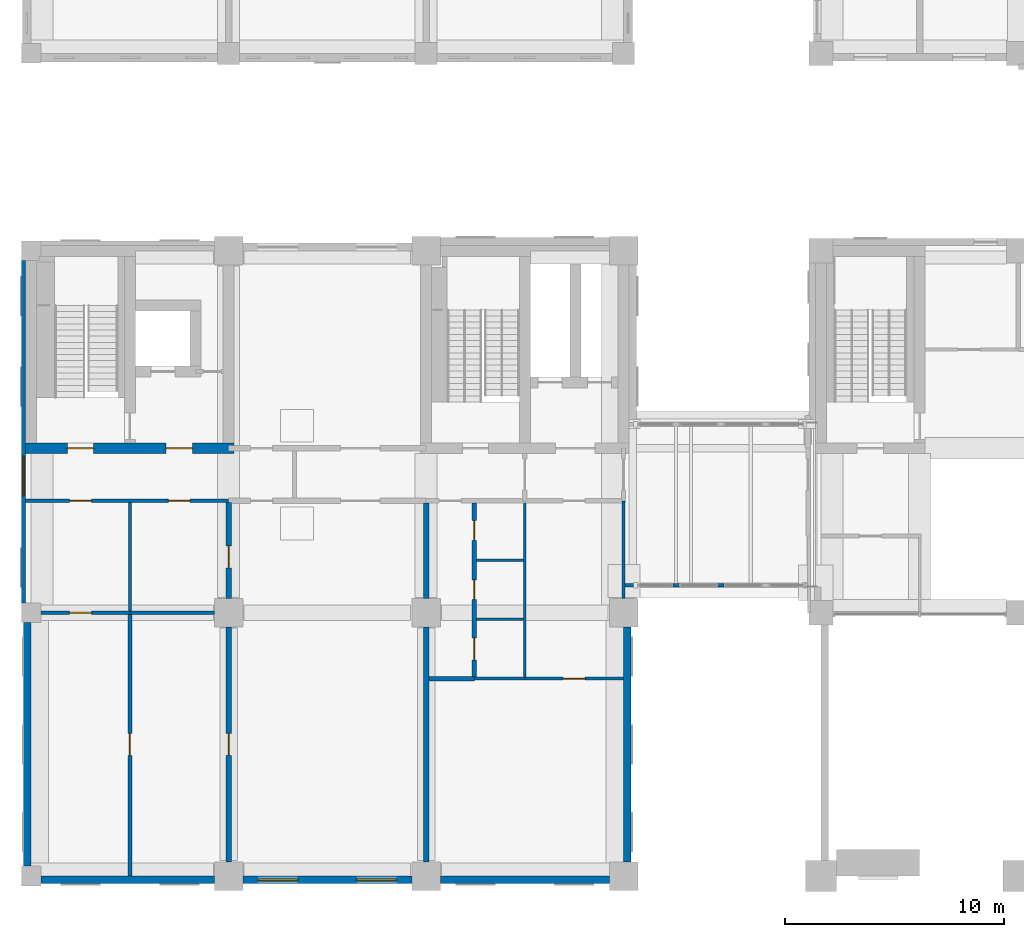
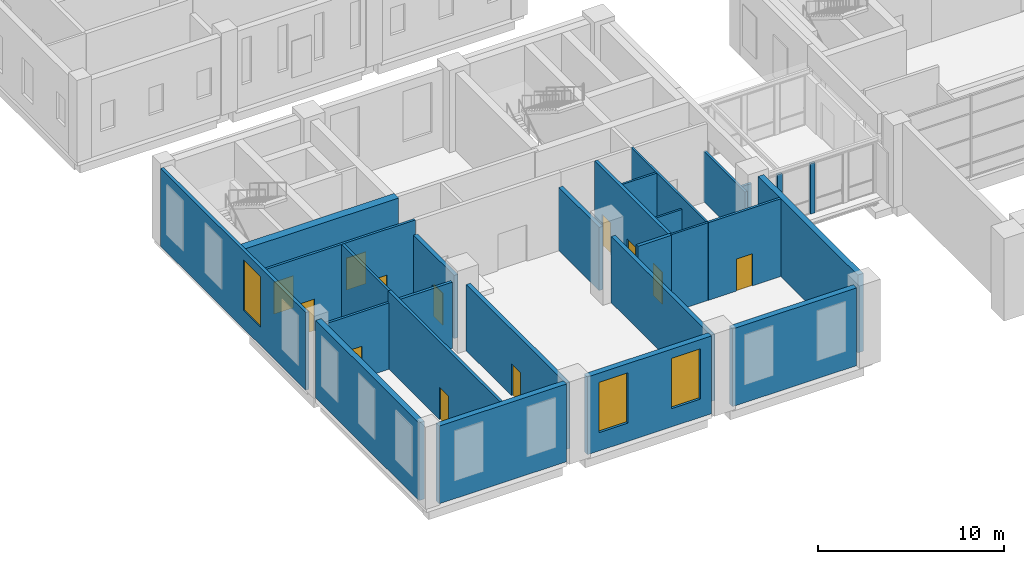
# One storey, part 26 of 52: 27 walls, 12 doors, 3 windows, 15 openings.
"""IFC4 building model written with IfcOpenShell, lengths in metres."""

from ifc_helpers import new_model, si_unit, direction, frame, frame_2d, origin, place, context, subcontext, project, spatial, rectangle, extrude, material, layer, layer_set, type_object, element, fill, save


model = new_model("IFC4")

# Units and contexts
model_context = context("Model", 3, precision=1e-05, world=origin(), true_north=direction((0.0, 1.0)))
body_context = subcontext(model_context, "Body", "Model", "MODEL_VIEW")
ifc_project = project(units=[si_unit("LENGTHUNIT", "METRE"), si_unit("AREAUNIT", "SQUARE_METRE"), si_unit("VOLUMEUNIT", "CUBIC_METRE"), si_unit("PLANEANGLEUNIT", "RADIAN"), si_unit("MASSUNIT", "GRAM", prefix="KILO")], contexts=[model_context])

# Site, building, storey
site_placement = place(None, origin())
site = spatial("IfcSite", under=ifc_project, at=site_placement, CompositionType="ELEMENT")
building_placement = place(site_placement, origin())
building = spatial("IfcBuilding", under=site, at=building_placement, Name="Aurelan Courthouse", CompositionType="ELEMENT")
storey_placement = place(building_placement, frame((0.0, 0.0, 6.60009765625)))
storey = spatial("IfcBuildingStorey", under=building, at=storey_placement, Name="L01", CompositionType="ELEMENT", Elevation=6.60009765625)

# Wall
ifc_material_1 = material(Name="Gypsum board on metal studs")
ifc_layer_1 = layer(ifc_material_1, 0.175048828125)
ifc_layer_set_1 = layer_set([ifc_layer_1], Name="Gypsum board on metal studs")
wall_type_1 = type_object("IfcWallType", Name="Chambers acoustic partition 175 NOT RATED", PredefinedType="PARTITIONING", material=ifc_layer_set_1)
wall_1_placement = place(storey_placement, frame((4.5, 12.0, 0.0), z_axis=(0.0, 0.0, 1.0), x_axis=(1.0, 0.0, 0.0)))
element("IfcWall", 1, at=wall_1_placement, inside=storey, type_object=wall_type_1, Name="Chambers acoustic partition L01-008", PredefinedType="PARTITIONING", context=body_context, shape_type="SweptSolid", body=[
    extrude(rectangle(XDim=3.85009765625, YDim=0.175048828125, at=frame_2d((1.925048828125, 0.0))), origin(), (0.0, 0.0, 1.0), 4.349853515625),
])

# Wall, opening, door
wall_2_placement = place(storey_placement, frame((4.5, 0.0, 0.0), z_axis=(0.0, 0.0, 1.0), x_axis=(0.0, 1.0, 0.0)))
wall_2 = element("IfcWall", 2, at=wall_2_placement, inside=storey, type_object=wall_type_1, Name="Chambers acoustic partition L01-068", PredefinedType="PARTITIONING", context=body_context, shape_type="SweptSolid", body=[
    extrude(rectangle(XDim=12.0, YDim=0.175048828125, at=frame_2d((6.0, 0.0))), origin(), (0.0, 0.0, 1.0), 5.099853515625),
])
opening_1_placement = place(wall_2_placement, frame((5.5, 0.0, 0.0)))
opening_1 = element("IfcOpeningElement", 3, at=opening_1_placement, cuts=wall_2, Name="Opening D-L01-082", PredefinedType="OPENING", context=body_context, shape_type="SweptSolid", body=[
    extrude(rectangle(XDim=1.0, YDim=2.10009765625, at=frame_2d((0.5, 1.050048828125))), frame((0.0, 0.097412109375, 0.0), z_axis=(0.0, -1.0, 0.0), x_axis=(1.0, 0.0, 0.0)), (0.0, 0.0, 1.0), 0.195068359375),
])
ifc_material_2 = material(Name="Timber", Category="wood")
door_type_1 = type_object("IfcDoorType", Name="Single door 1000 x 2100 NOT RATED", OperationType="SINGLE_SWING_LEFT", PredefinedType="DOOR", material=ifc_material_2)
door_1_placement = place(opening_1_placement, origin())
door_1 = element("IfcDoor", 4, at=door_1_placement, inside=storey, type_object=door_type_1, Name="Single door D-L01-082", OperationType="SINGLE_SWING_RIGHT", OverallHeight=2.10009765625, OverallWidth=1.0, PredefinedType="DOOR", context=body_context, shape_type="SweptSolid", body=[
    extrude(rectangle(XDim=1.0, YDim=2.10009765625, at=frame_2d((0.5, 1.050048828125))), frame((0.0, 0.02490234375, 0.0), z_axis=(0.0, -1.0, 0.0), x_axis=(1.0, 0.0, 0.0)), (0.0, 0.0, 1.0), 0.050048828125),
])
fill(opening_1, door_1)

# Wall, openings, doors
ifc_layer_2 = layer(ifc_material_1, 0.14990234375)
ifc_layer_set_2 = layer_set([ifc_layer_2], Name="Gypsum board on metal studs")
wall_type_2 = type_object("IfcWallType", Name="Corridor partition 150 EI 60", PredefinedType="PARTITIONING", material=ifc_layer_set_2)
wall_3_placement = place(storey_placement, frame((-0.25, 17.10009765625, 0.0), z_axis=(0.0, 0.0, 1.0), x_axis=(1.0, 0.0, 0.0)))
wall_3 = element("IfcWall", 5, at=wall_3_placement, inside=storey, type_object=wall_type_2, Name="Corridor partition L01-017", PredefinedType="PARTITIONING", context=body_context, shape_type="SweptSolid", body=[
    extrude(rectangle(XDim=9.25, YDim=0.14990234375, at=frame_2d((4.625, 0.0))), origin(), (0.0, 0.0, 1.0), 5.099853515625),
])
opening_2_placement = place(wall_3_placement, frame((3.0, 0.0, 0.0), z_axis=(0.0, 0.0, 1.0), x_axis=(-1.0, 0.0, 0.0)))
opening_2 = element("IfcOpeningElement", 6, at=opening_2_placement, cuts=wall_3, Name="Opening D-L01-078", PredefinedType="OPENING", context=body_context, shape_type="SweptSolid", body=[
    extrude(rectangle(XDim=1.0, YDim=2.10009765625, at=frame_2d((0.5, 1.050048828125))), frame((0.0, 0.0849609375, 0.0), z_axis=(0.0, -1.0, 0.0), x_axis=(1.0, 0.0, 0.0)), (0.0, 0.0, 1.0), 0.169921875),
])
opening_3_placement = place(wall_3_placement, frame((7.5, 0.0, 0.0), z_axis=(0.0, 0.0, 1.0), x_axis=(-1.0, 0.0, 0.0)))
opening_3 = element("IfcOpeningElement", 7, at=opening_3_placement, cuts=wall_3, Name="Opening D-L01-079", PredefinedType="OPENING", context=body_context, shape_type="SweptSolid", body=[
    extrude(rectangle(XDim=1.0, YDim=2.10009765625, at=frame_2d((0.5, 1.050048828125))), frame((0.0, 0.0849609375, 0.0), z_axis=(0.0, -1.0, 0.0), x_axis=(1.0, 0.0, 0.0)), (0.0, 0.0, 1.0), 0.169921875),
])
ifc_material_3 = material(Name="Steel", Category="steel")
door_type_2 = type_object("IfcDoorType", Name="Single door 1000 x 2100 FD60", OperationType="SINGLE_SWING_LEFT", PredefinedType="DOOR", material=ifc_material_3)
door_2_placement = place(opening_2_placement, origin())
door_2 = element("IfcDoor", 8, at=door_2_placement, inside=storey, type_object=door_type_2, Name="Single door D-L01-078", OperationType="SINGLE_SWING_LEFT", OverallHeight=2.10009765625, OverallWidth=1.0, PredefinedType="DOOR", context=body_context, shape_type="SweptSolid", body=[
    extrude(rectangle(XDim=1.0, YDim=2.10009765625, at=frame_2d((0.5, 1.050048828125))), frame((0.0, 0.02490234375, 0.0), z_axis=(0.0, -1.0, 0.0), x_axis=(1.0, 0.0, 0.0)), (0.0, 0.0, 1.0), 0.050048828125),
])
fill(opening_2, door_2)
door_3_placement = place(opening_3_placement, origin())
door_3 = element("IfcDoor", 9, at=door_3_placement, inside=storey, type_object=door_type_2, Name="Single door D-L01-079", OperationType="SINGLE_SWING_LEFT", OverallHeight=2.10009765625, OverallWidth=1.0, PredefinedType="DOOR", context=body_context, shape_type="SweptSolid", body=[
    extrude(rectangle(XDim=1.0, YDim=2.10009765625, at=frame_2d((0.5, 1.050048828125))), frame((0.0, 0.02490234375, 0.0), z_axis=(0.0, -1.0, 0.0), x_axis=(1.0, 0.0, 0.0)), (0.0, 0.0, 1.0), 0.050048828125),
])
fill(opening_3, door_3)

# Wall
wall_4_placement = place(storey_placement, frame((27.0, 12.64990234375, 0.0), z_axis=(0.0, 0.0, 1.0), x_axis=(0.0, 1.0, 0.0)))
element("IfcWall", 10, at=wall_4_placement, inside=storey, type_object=wall_type_2, Name="Corridor partition L01-084", PredefinedType="PARTITIONING", context=body_context, shape_type="SweptSolid", body=[
    extrude(rectangle(XDim=4.4501953125, YDim=0.14990234375, at=frame_2d((2.22509765625, 0.0))), origin(), (0.0, 0.0, 1.0), 3.2998046875),
])

# Wall, opening, door
ifc_material_4 = material(Name="Masonry block", Category="masonry")
ifc_layer_3 = layer(ifc_material_4, 0.25)
ifc_layer_set_3 = layer_set([ifc_layer_3], Name="Masonry block")
wall_type_3 = type_object("IfcWallType", Name="Courtroom wall 250 EI 60", PredefinedType="PARTITIONING", material=ifc_layer_set_3)
wall_5_placement = place(storey_placement, frame((9.0, 0.64990234375, 0.0), z_axis=(0.0, 0.0, 1.0), x_axis=(0.0, 1.0, 0.0)))
wall_5 = element("IfcWall", 11, at=wall_5_placement, inside=storey, type_object=wall_type_3, Name="Courtroom wall L01-070", PredefinedType="PARTITIONING", context=body_context, shape_type="SweptSolid", body=[
    extrude(rectangle(XDim=10.7001953125, YDim=0.25, at=frame_2d((5.35009765625, 0.0))), origin(), (0.0, 0.0, 1.0), 4.349853515625),
])
opening_4_placement = place(wall_5_placement, frame((5.85009765625, 0.0, 0.0), z_axis=(0.0, 0.0, 1.0), x_axis=(-1.0, 0.0, 0.0)))
opening_4 = element("IfcOpeningElement", 12, at=opening_4_placement, cuts=wall_5, Name="Opening D-L01-083", PredefinedType="OPENING", context=body_context, shape_type="SweptSolid", body=[
    extrude(rectangle(XDim=1.0, YDim=2.10009765625, at=frame_2d((0.5, 1.050048828125))), frame((0.0, 0.135009765625, 0.0), z_axis=(0.0, -1.0, 0.0), x_axis=(1.0, 0.0, 0.0)), (0.0, 0.0, 1.0), 0.27001953125),
])
door_type_3 = type_object("IfcDoorType", Name="Single door 1000 x 2100 FD30", OperationType="SINGLE_SWING_LEFT", PredefinedType="DOOR", material=ifc_material_3)
door_4_placement = place(opening_4_placement, origin())
door_4 = element("IfcDoor", 13, at=door_4_placement, inside=storey, type_object=door_type_3, Name="Single door D-L01-083", OperationType="SINGLE_SWING_RIGHT", OverallHeight=2.10009765625, OverallWidth=1.0, PredefinedType="DOOR", context=body_context, shape_type="SweptSolid", body=[
    extrude(rectangle(XDim=1.0, YDim=2.10009765625, at=frame_2d((0.5, 1.050048828125))), frame((0.0, 0.02490234375, 0.0), z_axis=(0.0, -1.0, 0.0), x_axis=(1.0, 0.0, 0.0)), (0.0, 0.0, 1.0), 0.050048828125),
])
fill(opening_4, door_4)

wall_6_placement = place(storey_placement, frame((9.0, 12.64990234375, 0.0), z_axis=(0.0, 0.0, 1.0), x_axis=(0.0, 1.0, 0.0)))
wall_6 = element("IfcWall", 14, at=wall_6_placement, inside=storey, type_object=wall_type_3, Name="Courtroom wall L01-071", PredefinedType="PARTITIONING", context=body_context, shape_type="SweptSolid", body=[
    extrude(rectangle(XDim=4.375, YDim=0.25, at=frame_2d((2.1875, 0.0))), origin(), (0.0, 0.0, 1.0), 4.14990234375),
])
opening_5_placement = place(wall_6_placement, frame((2.39990234375, 0.0, 0.0), z_axis=(0.0, 0.0, 1.0), x_axis=(-1.0, 0.0, 0.0)))
opening_5 = element("IfcOpeningElement", 15, at=opening_5_placement, cuts=wall_6, Name="Opening D-L01-080", PredefinedType="OPENING", context=body_context, shape_type="SweptSolid", body=[
    extrude(rectangle(XDim=1.0, YDim=2.10009765625, at=frame_2d((0.5, 1.050048828125))), frame((0.0, 0.135009765625, 0.0), z_axis=(0.0, -1.0, 0.0), x_axis=(1.0, 0.0, 0.0)), (0.0, 0.0, 1.0), 0.27001953125),
])
door_5_placement = place(opening_5_placement, origin())
door_5 = element("IfcDoor", 16, at=door_5_placement, inside=storey, type_object=door_type_3, Name="Single door D-L01-080", OperationType="SINGLE_SWING_LEFT", OverallHeight=2.10009765625, OverallWidth=1.0, PredefinedType="DOOR", context=body_context, shape_type="SweptSolid", body=[
    extrude(rectangle(XDim=1.0, YDim=2.10009765625, at=frame_2d((0.5, 1.050048828125))), frame((0.0, 0.02490234375, 0.0), z_axis=(0.0, -1.0, 0.0), x_axis=(1.0, 0.0, 0.0)), (0.0, 0.0, 1.0), 0.050048828125),
])
fill(opening_5, door_5)

# Walls
wall_7_placement = place(storey_placement, frame((18.0, 0.64990234375, 0.0), z_axis=(0.0, 0.0, 1.0), x_axis=(0.0, 1.0, 0.0)))
element("IfcWall", 17, at=wall_7_placement, inside=storey, type_object=wall_type_3, Name="Courtroom wall L01-077", PredefinedType="PARTITIONING", context=body_context, shape_type="SweptSolid", body=[
    extrude(rectangle(XDim=10.7001953125, YDim=0.25, at=frame_2d((5.35009765625, 0.0))), origin(), (0.0, 0.0, 1.0), 4.349853515625),
])
wall_8_placement = place(storey_placement, frame((18.0, 12.64990234375, 0.0), z_axis=(0.0, 0.0, 1.0), x_axis=(0.0, 1.0, 0.0)))
element("IfcWall", 18, at=wall_8_placement, inside=storey, type_object=wall_type_3, Name="Courtroom wall L01-078", PredefinedType="PARTITIONING", context=body_context, shape_type="SweptSolid", body=[
    extrude(rectangle(XDim=4.35009765625, YDim=0.25, at=frame_2d((2.175048828125, 0.0))), origin(), (0.0, 0.0, 1.0), 4.14990234375),
])

# Wall, opening, window
ifc_material_5 = material(Name="Granite cladding", Category="masonry")
ifc_layer_4 = layer(ifc_material_5, 0.054931640625, Name="Facing")
ifc_material_6 = material(Name="Ventilated cavity")
ifc_layer_5 = layer(ifc_material_6, 0.02490234375, ventilated=True, Name="Ventilated cavity")
ifc_material_7 = material(Name="Mineral wool insulation")
ifc_layer_6 = layer(ifc_material_7, 0.030029296875, Name="Insulation")
ifc_material_8 = material(Name="Concrete C30", Category="concrete")
ifc_layer_7 = layer(ifc_material_8, 0.090087890625, Name="Structure")
ifc_layer_set_4 = layer_set([ifc_layer_4, ifc_layer_5, ifc_layer_6, ifc_layer_7], Name="Concrete C30")
wall_type_4 = type_object("IfcWallType", Name="Courts' Floors granite-faced wall 200", PredefinedType="SOLIDWALL", material=ifc_layer_set_4)
wall_9_placement = place(storey_placement, frame((-0.35009765625, 12.449951171875, 0.0), z_axis=(0.0, 0.0, 1.0), x_axis=(0.0, 1.0, 0.0)))
wall_9 = element("IfcWall", 19, at=wall_9_placement, inside=storey, type_object=wall_type_4, Name="Facade wall FW-V5-L01-010", PredefinedType="SOLIDWALL", context=body_context, shape_type="SweptSolid", body=[
    extrude(rectangle(XDim=15.60009765625, YDim=0.199951171875, at=frame_2d((7.800048828125, 0.0))), origin(), (0.0, 0.0, 1.0), 5.099853515625),
])
opening_6_placement = place(wall_9_placement, frame((4.87744140625, 0.0, 1.199951171875)))
opening_6 = element("IfcOpeningElement", 20, at=opening_6_placement, cuts=wall_9, Name="Opening WN-V5-L01-005", PredefinedType="OPENING", context=body_context, shape_type="SweptSolid", body=[
    extrude(rectangle(XDim=1.800048828125, YDim=3.300048828125, at=frame_2d((0.89990234375, 1.64990234375))), frame((0.0, 0.10986328125, 0.0), z_axis=(0.0, -1.0, 0.0), x_axis=(1.0, 0.0, 0.0)), (0.0, 0.0, 1.0), 0.219970703125),
])
ifc_material_9 = material(Name="Bronze-finished aluminium and glass", Category="aluminium")
window_type = type_object("IfcWindowType", Name="Courts' Floors window 1800 x 3300, sill 1200", PartitioningType="SINGLE_PANEL", PredefinedType="WINDOW", material=ifc_material_9)
window_1_placement = place(opening_6_placement, origin())
window_1 = element("IfcWindow", 21, at=window_1_placement, inside=storey, type_object=window_type, Name="Window WN-V5-L01-005", OverallHeight=3.300048828125, OverallWidth=1.800048828125, PartitioningType="SINGLE_PANEL", PredefinedType="WINDOW", context=body_context, shape_type="SweptSolid", body=[
    extrude(rectangle(XDim=1.800048828125, YDim=3.300048828125, at=frame_2d((0.89990234375, 1.64990234375))), frame((0.0, 0.030029296875, 0.0), z_axis=(0.0, -1.0, 0.0), x_axis=(1.0, 0.0, 0.0)), (0.0, 0.0, 1.0), 0.06005859375),
])
fill(opening_6, window_1)

# Wall
ifc_layer_8 = layer(ifc_material_5, 0.10009765625, Name="Facing")
ifc_layer_9 = layer(ifc_material_6, 0.02490234375, ventilated=True, Name="Ventilated cavity")
ifc_layer_10 = layer(ifc_material_7, 0.050048828125, Name="Insulation")
ifc_layer_11 = layer(ifc_material_8, 0.175048828125, Name="Structure")
ifc_layer_set_5 = layer_set([ifc_layer_8, ifc_layer_9, ifc_layer_10, ifc_layer_11], Name="Concrete C30")
wall_type_5 = type_object("IfcWallType", Name="Courts' Floors granite-faced wall 350", PredefinedType="SOLIDWALL", material=ifc_layer_set_5)
wall_10_placement = place(storey_placement, frame((0.449951171875, -0.175048828125, 0.0), z_axis=(0.0, 0.0, 1.0), x_axis=(1.0, 0.0, 0.0)))
element("IfcWall", 22, at=wall_10_placement, inside=storey, type_object=wall_type_5, Name="Facade wall FW-V5-L01-001", PredefinedType="SOLIDWALL", context=body_context, shape_type="SweptSolid", body=[
    extrude(rectangle(XDim=7.900146484375, YDim=0.35009765625, at=frame_2d((3.9501953125, 0.0))), origin(), (0.0, 0.0, 1.0), 5.099853515625),
])

# Wall, openings, windows
wall_11_placement = place(storey_placement, frame((9.64990234375, -0.175048828125, 0.0), z_axis=(0.0, 0.0, 1.0), x_axis=(1.0, 0.0, 0.0)))
wall_11 = element("IfcWall", 23, at=wall_11_placement, inside=storey, type_object=wall_type_5, Name="Facade wall FW-V5-L01-002", PredefinedType="SOLIDWALL", context=body_context, shape_type="SweptSolid", body=[
    extrude(rectangle(XDim=7.7001953125, YDim=0.35009765625, at=frame_2d((3.85009765625, 0.0))), origin(), (0.0, 0.0, 1.0), 5.099853515625),
])
opening_7_placement = place(wall_11_placement, frame((0.699951171875, 0.0, 1.199951171875)))
opening_7 = element("IfcOpeningElement", 24, at=opening_7_placement, cuts=wall_11, Name="Opening WN-V5-L01-001", PredefinedType="OPENING", context=body_context, shape_type="SweptSolid", body=[
    extrude(rectangle(XDim=1.800048828125, YDim=3.300048828125, at=frame_2d((0.89990234375, 1.64990234375))), frame((0.0, 0.18505859375, 0.0), z_axis=(0.0, -1.0, 0.0), x_axis=(1.0, 0.0, 0.0)), (0.0, 0.0, 1.0), 0.3701171875),
])
opening_8_placement = place(wall_11_placement, frame((5.199951171875, 0.0, 1.199951171875)))
opening_8 = element("IfcOpeningElement", 25, at=opening_8_placement, cuts=wall_11, Name="Opening WN-V5-L01-002", PredefinedType="OPENING", context=body_context, shape_type="SweptSolid", body=[
    extrude(rectangle(XDim=1.800048828125, YDim=3.300048828125, at=frame_2d((0.89990234375, 1.64990234375))), frame((0.0, 0.18505859375, 0.0), z_axis=(0.0, -1.0, 0.0), x_axis=(1.0, 0.0, 0.0)), (0.0, 0.0, 1.0), 0.3701171875),
])
window_2_placement = place(opening_7_placement, origin())
window_2 = element("IfcWindow", 26, at=window_2_placement, inside=storey, type_object=window_type, Name="Window WN-V5-L01-001", OverallHeight=3.300048828125, OverallWidth=1.800048828125, PartitioningType="SINGLE_PANEL", PredefinedType="WINDOW", context=body_context, shape_type="SweptSolid", body=[
    extrude(rectangle(XDim=1.800048828125, YDim=3.300048828125, at=frame_2d((0.89990234375, 1.64990234375))), frame((0.0, 0.030029296875, 0.0), z_axis=(0.0, -1.0, 0.0), x_axis=(1.0, 0.0, 0.0)), (0.0, 0.0, 1.0), 0.06005859375),
])
fill(opening_7, window_2)
window_3_placement = place(opening_8_placement, origin())
window_3 = element("IfcWindow", 27, at=window_3_placement, inside=storey, type_object=window_type, Name="Window WN-V5-L01-002", OverallHeight=3.300048828125, OverallWidth=1.800048828125, PartitioningType="SINGLE_PANEL", PredefinedType="WINDOW", context=body_context, shape_type="SweptSolid", body=[
    extrude(rectangle(XDim=1.800048828125, YDim=3.300048828125, at=frame_2d((0.89990234375, 1.64990234375))), frame((0.0, 0.030029296875, 0.0), z_axis=(0.0, -1.0, 0.0), x_axis=(1.0, 0.0, 0.0)), (0.0, 0.0, 1.0), 0.06005859375),
])
fill(opening_8, window_3)

# Walls
wall_12_placement = place(storey_placement, frame((18.64990234375, -0.175048828125, 0.0), z_axis=(0.0, 0.0, 1.0), x_axis=(1.0, 0.0, 0.0)))
element("IfcWall", 28, at=wall_12_placement, inside=storey, type_object=wall_type_5, Name="Facade wall FW-V5-L01-003", PredefinedType="SOLIDWALL", context=body_context, shape_type="SweptSolid", body=[
    extrude(rectangle(XDim=7.7001953125, YDim=0.35009765625, at=frame_2d((3.85009765625, 0.0))), origin(), (0.0, 0.0, 1.0), 5.099853515625),
])
wall_13_placement = place(storey_placement, frame((27.175048828125, 0.64990234375, 0.0), z_axis=(0.0, 0.0, 1.0), x_axis=(0.0, 1.0, 0.0)))
element("IfcWall", 29, at=wall_13_placement, inside=storey, type_object=wall_type_5, Name="Facade wall FW-V5-L01-007", PredefinedType="SOLIDWALL", context=body_context, shape_type="SweptSolid", body=[
    extrude(rectangle(XDim=10.7001953125, YDim=0.35009765625, at=frame_2d((5.35009765625, 0.0))), origin(), (0.0, 0.0, 1.0), 5.099853515625),
])
wall_14_placement = place(storey_placement, frame((-0.175048828125, 0.449951171875, 0.0), z_axis=(0.0, 0.0, 1.0), x_axis=(0.0, 1.0, 0.0)))
element("IfcWall", 30, at=wall_14_placement, inside=storey, type_object=wall_type_5, Name="Facade wall FW-V5-L01-009", PredefinedType="SOLIDWALL", context=body_context, shape_type="SweptSolid", body=[
    extrude(rectangle(XDim=11.10009765625, YDim=0.35009765625, at=frame_2d((5.550048828125, 0.0))), origin(), (0.0, 0.0, 1.0), 5.099853515625),
])
ifc_layer_12 = layer(ifc_material_4, 0.199951171875)
ifc_layer_set_6 = layer_set([ifc_layer_12], Name="Masonry block")
wall_type_6 = type_object("IfcWallType", Name="Lift lobby wall 200 EI 60", PredefinedType="PARTITIONING", material=ifc_layer_set_6)
wall_15_placement = place(storey_placement, frame((18.125, 9.0, 0.0), z_axis=(0.0, 0.0, 1.0), x_axis=(1.0, 0.0, 0.0)))
element("IfcWall", 31, at=wall_15_placement, inside=storey, type_object=wall_type_6, Name="Lift lobby wall L01-001", PredefinedType="PARTITIONING", context=body_context, shape_type="SweptSolid", body=[
    extrude(rectangle(XDim=2.074951171875, YDim=0.199951171875, at=frame_2d((1.03759765625, 0.0))), origin(), (0.0, 0.0, 1.0), 5.099853515625),
])

# Wall, openings, doors
wall_16_placement = place(storey_placement, frame((20.199951171875, 9.0625, 0.0), z_axis=(0.0, 0.0, 1.0), x_axis=(0.0, 1.0, 0.0)))
wall_16 = element("IfcWall", 32, at=wall_16_placement, inside=storey, type_object=wall_type_6, Name="Lift lobby wall L01-080", PredefinedType="PARTITIONING", context=body_context, shape_type="SweptSolid", body=[
    extrude(rectangle(XDim=7.9375, YDim=0.199951171875, at=frame_2d((3.96875, 0.0))), origin(), (0.0, 0.0, 1.0), 5.099853515625),
])
opening_9_placement = place(wall_16_placement, frame((7.137451171875, 0.0, 0.0), z_axis=(0.0, 0.0, 1.0), x_axis=(-1.0, 0.0, 0.0)))
opening_9 = element("IfcOpeningElement", 33, at=opening_9_placement, cuts=wall_16, Name="Opening D-L01-087", PredefinedType="OPENING", context=body_context, shape_type="SweptSolid", body=[
    extrude(rectangle(XDim=0.89990234375, YDim=2.10009765625, at=frame_2d((0.449951171875, 1.050048828125))), frame((0.0, 0.10986328125, 0.0), z_axis=(0.0, -1.0, 0.0), x_axis=(1.0, 0.0, 0.0)), (0.0, 0.0, 1.0), 0.219970703125),
])
opening_10_placement = place(wall_16_placement, frame((4.4375, 0.0, 0.0), z_axis=(0.0, 0.0, 1.0), x_axis=(-1.0, 0.0, 0.0)))
opening_10 = element("IfcOpeningElement", 34, at=opening_10_placement, cuts=wall_16, Name="Opening D-L01-088", PredefinedType="OPENING", context=body_context, shape_type="SweptSolid", body=[
    extrude(rectangle(XDim=0.89990234375, YDim=2.10009765625, at=frame_2d((0.449951171875, 1.050048828125))), frame((0.0, 0.10986328125, 0.0), z_axis=(0.0, -1.0, 0.0), x_axis=(1.0, 0.0, 0.0)), (0.0, 0.0, 1.0), 0.219970703125),
])
opening_11_placement = place(wall_16_placement, frame((1.78759765625, 0.0, 0.0), z_axis=(0.0, 0.0, 1.0), x_axis=(-1.0, 0.0, 0.0)))
opening_11 = element("IfcOpeningElement", 35, at=opening_11_placement, cuts=wall_16, Name="Opening D-L01-089", PredefinedType="OPENING", context=body_context, shape_type="SweptSolid", body=[
    extrude(rectangle(XDim=1.0, YDim=2.10009765625, at=frame_2d((0.5, 1.050048828125))), frame((0.0, 0.10986328125, 0.0), z_axis=(0.0, -1.0, 0.0), x_axis=(1.0, 0.0, 0.0)), (0.0, 0.0, 1.0), 0.219970703125),
])
door_6_placement = place(opening_11_placement, origin())
door_6 = element("IfcDoor", 36, at=door_6_placement, inside=storey, type_object=door_type_2, Name="Single door D-L01-089", OperationType="SINGLE_SWING_LEFT", OverallHeight=2.10009765625, OverallWidth=1.0, PredefinedType="DOOR", context=body_context, shape_type="SweptSolid", body=[
    extrude(rectangle(XDim=1.0, YDim=2.10009765625, at=frame_2d((0.5, 1.050048828125))), frame((0.0, 0.02490234375, 0.0), z_axis=(0.0, -1.0, 0.0), x_axis=(1.0, 0.0, 0.0)), (0.0, 0.0, 1.0), 0.050048828125),
])
fill(opening_11, door_6)
door_type_4 = type_object("IfcDoorType", Name="Single door 900 x 2100 FD60", OperationType="SINGLE_SWING_LEFT", PredefinedType="DOOR", material=ifc_material_3)
door_7_placement = place(opening_9_placement, origin())
door_7 = element("IfcDoor", 37, at=door_7_placement, inside=storey, type_object=door_type_4, Name="Single door D-L01-087", OperationType="SINGLE_SWING_LEFT", OverallHeight=2.10009765625, OverallWidth=0.89990234375, PredefinedType="DOOR", context=body_context, shape_type="SweptSolid", body=[
    extrude(rectangle(XDim=0.89990234375, YDim=2.10009765625, at=frame_2d((0.449951171875, 1.050048828125))), frame((0.0, 0.02490234375, 0.0), z_axis=(0.0, -1.0, 0.0), x_axis=(1.0, 0.0, 0.0)), (0.0, 0.0, 1.0), 0.050048828125),
])
fill(opening_9, door_7)
door_8_placement = place(opening_10_placement, origin())
door_8 = element("IfcDoor", 38, at=door_8_placement, inside=storey, type_object=door_type_4, Name="Single door D-L01-088", OperationType="SINGLE_SWING_RIGHT", OverallHeight=2.10009765625, OverallWidth=0.89990234375, PredefinedType="DOOR", context=body_context, shape_type="SweptSolid", body=[
    extrude(rectangle(XDim=0.89990234375, YDim=2.10009765625, at=frame_2d((0.449951171875, 1.050048828125))), frame((0.0, 0.02490234375, 0.0), z_axis=(0.0, -1.0, 0.0), x_axis=(1.0, 0.0, 0.0)), (0.0, 0.0, 1.0), 0.050048828125),
])
fill(opening_10, door_8)

# Wall, opening, door
ifc_layer_13 = layer(ifc_material_1, 0.14990234375)
ifc_layer_set_7 = layer_set([ifc_layer_13], Name="Gypsum board on metal studs")
wall_type_7 = type_object("IfcWallType", Name="Partition 150 NOT RATED", PredefinedType="PARTITIONING", material=ifc_layer_set_7)
wall_17_placement = place(storey_placement, frame((22.5, 9.0, 0.0), z_axis=(0.0, 0.0, 1.0), x_axis=(1.0, 0.0, 0.0)))
wall_17 = element("IfcWall", 39, at=wall_17_placement, inside=storey, type_object=wall_type_7, Name="Partition L01-003", PredefinedType="PARTITIONING", context=body_context, shape_type="SweptSolid", body=[
    extrude(rectangle(XDim=4.5, YDim=0.14990234375, at=frame_2d((2.25, 0.0))), origin(), (0.0, 0.0, 1.0), 5.099853515625),
])
opening_12_placement = place(wall_17_placement, frame((2.75, 0.0, 0.0), z_axis=(0.0, 0.0, 1.0), x_axis=(-1.0, 0.0, 0.0)))
opening_12 = element("IfcOpeningElement", 40, at=opening_12_placement, cuts=wall_17, Name="Opening D-L01-086", PredefinedType="OPENING", context=body_context, shape_type="SweptSolid", body=[
    extrude(rectangle(XDim=1.0, YDim=2.10009765625, at=frame_2d((0.5, 1.050048828125))), frame((0.0, 0.0849609375, 0.0), z_axis=(0.0, -1.0, 0.0), x_axis=(1.0, 0.0, 0.0)), (0.0, 0.0, 1.0), 0.169921875),
])
door_9_placement = place(opening_12_placement, origin())
door_9 = element("IfcDoor", 41, at=door_9_placement, inside=storey, type_object=door_type_1, Name="Single door D-L01-086", OperationType="SINGLE_SWING_LEFT", OverallHeight=2.10009765625, OverallWidth=1.0, PredefinedType="DOOR", context=body_context, shape_type="SweptSolid", body=[
    extrude(rectangle(XDim=1.0, YDim=2.10009765625, at=frame_2d((0.5, 1.050048828125))), frame((0.0, 0.02490234375, 0.0), z_axis=(0.0, -1.0, 0.0), x_axis=(1.0, 0.0, 0.0)), (0.0, 0.0, 1.0), 0.050048828125),
])
fill(opening_12, door_9)

wall_18_placement = place(storey_placement, frame((0.449951171875, 12.0, 0.0), z_axis=(0.0, 0.0, 1.0), x_axis=(1.0, 0.0, 0.0)))
wall_18 = element("IfcWall", 42, at=wall_18_placement, inside=storey, type_object=wall_type_7, Name="Partition L01-007", PredefinedType="PARTITIONING", context=body_context, shape_type="SweptSolid", body=[
    extrude(rectangle(XDim=4.050048828125, YDim=0.14990234375, at=frame_2d((2.02490234375, 0.0))), origin(), (0.0, 0.0, 1.0), 4.349853515625),
])
opening_13_placement = place(wall_18_placement, frame((2.300048828125, 0.0, 0.0), z_axis=(0.0, 0.0, 1.0), x_axis=(-1.0, 0.0, 0.0)))
opening_13 = element("IfcOpeningElement", 43, at=opening_13_placement, cuts=wall_18, Name="Opening D-L01-081", PredefinedType="OPENING", context=body_context, shape_type="SweptSolid", body=[
    extrude(rectangle(XDim=1.0, YDim=2.10009765625, at=frame_2d((0.5, 1.050048828125))), frame((0.0, 0.0849609375, 0.0), z_axis=(0.0, -1.0, 0.0), x_axis=(1.0, 0.0, 0.0)), (0.0, 0.0, 1.0), 0.169921875),
])
door_10_placement = place(opening_13_placement, origin())
door_10 = element("IfcDoor", 44, at=door_10_placement, inside=storey, type_object=door_type_1, Name="Single door D-L01-081", OperationType="SINGLE_SWING_LEFT", OverallHeight=2.10009765625, OverallWidth=1.0, PredefinedType="DOOR", context=body_context, shape_type="SweptSolid", body=[
    extrude(rectangle(XDim=1.0, YDim=2.10009765625, at=frame_2d((0.5, 1.050048828125))), frame((0.0, 0.02490234375, 0.0), z_axis=(0.0, -1.0, 0.0), x_axis=(1.0, 0.0, 0.0)), (0.0, 0.0, 1.0), 0.050048828125),
])
fill(opening_13, door_10)

# Walls
wall_19_placement = place(storey_placement, frame((4.5, 12.0, 0.0), z_axis=(0.0, 0.0, 1.0), x_axis=(0.0, 1.0, 0.0)))
element("IfcWall", 45, at=wall_19_placement, inside=storey, type_object=wall_type_7, Name="Partition L01-069", PredefinedType="PARTITIONING", context=body_context, shape_type="SweptSolid", body=[
    extrude(rectangle(XDim=5.02490234375, YDim=0.14990234375, at=frame_2d((2.512451171875, 0.0))), origin(), (0.0, 0.0, 1.0), 5.099853515625),
])
ifc_material_10 = material(Name="Concrete C40", Category="concrete")
ifc_layer_14 = layer(ifc_material_10, 0.14990234375)
ifc_layer_set_8 = layer_set([ifc_layer_14], Name="Concrete C40")
wall_type_8 = type_object("IfcWallType", Name="Passage end pier 150 x 575 x 3300", PredefinedType="SOLIDWALL", material=ifc_layer_set_8)
wall_20_placement = place(storey_placement, frame((27.074951171875, 13.25, 0.0), z_axis=(0.0, 0.0, 1.0), x_axis=(1.0, 0.0, 0.0)))
element("IfcWall", 46, at=wall_20_placement, inside=storey, type_object=wall_type_8, Name="Passage pier BR1-P01", PredefinedType="SOLIDWALL", context=body_context, shape_type="SweptSolid", body=[
    extrude(rectangle(XDim=0.574951171875, YDim=0.14990234375, at=frame_2d((0.28759765625, 0.0))), origin(), (0.0, 0.0, 1.0), 3.2998046875),
])
ifc_layer_15 = layer(ifc_material_10, 0.14990234375)
ifc_layer_set_9 = layer_set([ifc_layer_15], Name="Concrete C40")
wall_type_9 = type_object("IfcWallType", Name="Passage pier 150 x 300 x 3300", PredefinedType="SOLIDWALL", material=ifc_layer_set_9)
for number, where, z_axis, x_axis, name in (
    (47, (29.243896484375, 13.25, 0.0), (0.0, 0.0, 1.0), (1.0, 0.0, 0.0), "Passage pier BR1-P02"),
    (48, (31.28759765625, 13.25, 0.0), (0.0, 0.0, 1.0), (1.0, 0.0, 0.0), "Passage pier BR1-P03"),
):
    element("IfcWall", number, at=place(storey_placement, frame(where, z_axis=z_axis, x_axis=x_axis)), inside=storey, type_object=wall_type_9, Name=name, PredefinedType="SOLIDWALL", context=body_context, shape_type="SweptSolid", body=[
        extrude(rectangle(XDim=0.2998046875, YDim=0.14990234375, at=frame_2d((0.14990234375, 0.0))), origin(), (0.0, 0.0, 1.0), 3.2998046875),
    ])

# Wall, openings, doors
ifc_material_11 = material(Name="Concrete C50", Category="concrete")
ifc_layer_16 = layer(ifc_material_11, 0.5)
ifc_layer_set_10 = layer_set([ifc_layer_16], Name="Concrete C50")
wall_type_10 = type_object("IfcWallType", Name="RC shear wall 500", PredefinedType="SHEAR", material=ifc_layer_set_10)
wall_21_placement = place(storey_placement, frame((-0.25, 19.5, 0.0), z_axis=(0.0, 0.0, 1.0), x_axis=(1.0, 0.0, 0.0)))
wall_21 = element("IfcWall", 49, at=wall_21_placement, inside=storey, type_object=wall_type_10, Name="Core wall SW-L01-005", PredefinedType="SHEAR", context=body_context, shape_type="SweptSolid", body=[
    extrude(rectangle(XDim=9.5, YDim=0.5, at=frame_2d((4.75, 0.0))), origin(), (0.0, 0.0, 1.0), 5.099853515625),
])
opening_14_placement = place(wall_21_placement, frame((1.89990234375, 0.0, 0.0)))
opening_14 = element("IfcOpeningElement", 50, at=opening_14_placement, cuts=wall_21, Name="Opening D-L01-065", PredefinedType="OPENING", context=body_context, shape_type="SweptSolid", body=[
    extrude(rectangle(XDim=1.199951171875, YDim=2.10009765625, at=frame_2d((0.60009765625, 1.050048828125))), frame((0.0, 0.260009765625, 0.0), z_axis=(0.0, -1.0, 0.0), x_axis=(1.0, 0.0, 0.0)), (0.0, 0.0, 1.0), 0.52001953125),
])
opening_15_placement = place(wall_21_placement, frame((6.39990234375, 0.0, 0.0)))
opening_15 = element("IfcOpeningElement", 51, at=opening_15_placement, cuts=wall_21, Name="Opening D-L01-067", PredefinedType="OPENING", context=body_context, shape_type="SweptSolid", body=[
    extrude(rectangle(XDim=1.199951171875, YDim=2.10009765625, at=frame_2d((0.60009765625, 1.050048828125))), frame((0.0, 0.260009765625, 0.0), z_axis=(0.0, -1.0, 0.0), x_axis=(1.0, 0.0, 0.0)), (0.0, 0.0, 1.0), 0.52001953125),
])
door_type_5 = type_object("IfcDoorType", Name="Single door 1200 x 2100 FD90", OperationType="SINGLE_SWING_LEFT", PredefinedType="DOOR", material=ifc_material_3)
door_11_placement = place(opening_14_placement, origin())
door_11 = element("IfcDoor", 52, at=door_11_placement, inside=storey, type_object=door_type_5, Name="Single door D-L01-065", OperationType="SINGLE_SWING_RIGHT", OverallHeight=2.10009765625, OverallWidth=1.199951171875, PredefinedType="DOOR", context=body_context, shape_type="SweptSolid", body=[
    extrude(rectangle(XDim=1.199951171875, YDim=2.10009765625, at=frame_2d((0.60009765625, 1.050048828125))), frame((0.0, 0.02490234375, 0.0), z_axis=(0.0, -1.0, 0.0), x_axis=(1.0, 0.0, 0.0)), (0.0, 0.0, 1.0), 0.050048828125),
])
fill(opening_14, door_11)
door_12_placement = place(opening_15_placement, origin())
door_12 = element("IfcDoor", 53, at=door_12_placement, inside=storey, type_object=door_type_5, Name="Single door D-L01-067", OperationType="SINGLE_SWING_RIGHT", OverallHeight=2.10009765625, OverallWidth=1.199951171875, PredefinedType="DOOR", context=body_context, shape_type="SweptSolid", body=[
    extrude(rectangle(XDim=1.199951171875, YDim=2.10009765625, at=frame_2d((0.60009765625, 1.050048828125))), frame((0.0, 0.02490234375, 0.0), z_axis=(0.0, -1.0, 0.0), x_axis=(1.0, 0.0, 0.0)), (0.0, 0.0, 1.0), 0.050048828125),
])
fill(opening_15, door_12)

# Walls
ifc_material_12 = material(Name="Moisture-resistant board on metal studs")
ifc_layer_17 = layer(ifc_material_12, 0.125)
ifc_layer_set_11 = layer_set([ifc_layer_17], Name="Moisture-resistant board on metal studs")
wall_type_11 = type_object("IfcWallType", Name="Wet-area partition 125 NOT RATED", PredefinedType="PARTITIONING", material=ifc_layer_set_11)
wall_22_placement = place(storey_placement, frame((20.199951171875, 9.0, 0.0), z_axis=(0.0, 0.0, 1.0), x_axis=(1.0, 0.0, 0.0)))
element("IfcWall", 54, at=wall_22_placement, inside=storey, type_object=wall_type_11, Name="Wet-area partition L01-002", PredefinedType="PARTITIONING", context=body_context, shape_type="SweptSolid", body=[
    extrude(rectangle(XDim=2.300048828125, YDim=0.125, at=frame_2d((1.14990234375, 0.0))), origin(), (0.0, 0.0, 1.0), 5.099853515625),
])
wall_23_placement = place(storey_placement, frame((20.300048828125, 11.699951171875, 0.0), z_axis=(0.0, 0.0, 1.0), x_axis=(1.0, 0.0, 0.0)))
element("IfcWall", 55, at=wall_23_placement, inside=storey, type_object=wall_type_11, Name="Wet-area partition L01-006", PredefinedType="PARTITIONING", context=body_context, shape_type="SweptSolid", body=[
    extrude(rectangle(XDim=2.137451171875, YDim=0.125, at=frame_2d((1.06884765625, 0.0))), origin(), (0.0, 0.0, 1.0), 4.349853515625),
])
wall_24_placement = place(storey_placement, frame((20.300048828125, 14.39990234375, 0.0), z_axis=(0.0, 0.0, 1.0), x_axis=(1.0, 0.0, 0.0)))
element("IfcWall", 56, at=wall_24_placement, inside=storey, type_object=wall_type_11, Name="Wet-area partition L01-013", PredefinedType="PARTITIONING", context=body_context, shape_type="SweptSolid", body=[
    extrude(rectangle(XDim=2.137451171875, YDim=0.125, at=frame_2d((1.06884765625, 0.0))), origin(), (0.0, 0.0, 1.0), 5.099853515625),
])
wall_25_placement = place(storey_placement, frame((22.5, 9.0625, 0.0), z_axis=(0.0, 0.0, 1.0), x_axis=(0.0, 1.0, 0.0)))
element("IfcWall", 57, at=wall_25_placement, inside=storey, type_object=wall_type_11, Name="Wet-area partition L01-081", PredefinedType="PARTITIONING", context=body_context, shape_type="SweptSolid", body=[
    extrude(rectangle(XDim=8.03759765625, YDim=0.125, at=frame_2d((4.018798828125, 0.0))), origin(), (0.0, 0.0, 1.0), 5.099853515625),
])

save(model, "model.ifc")
